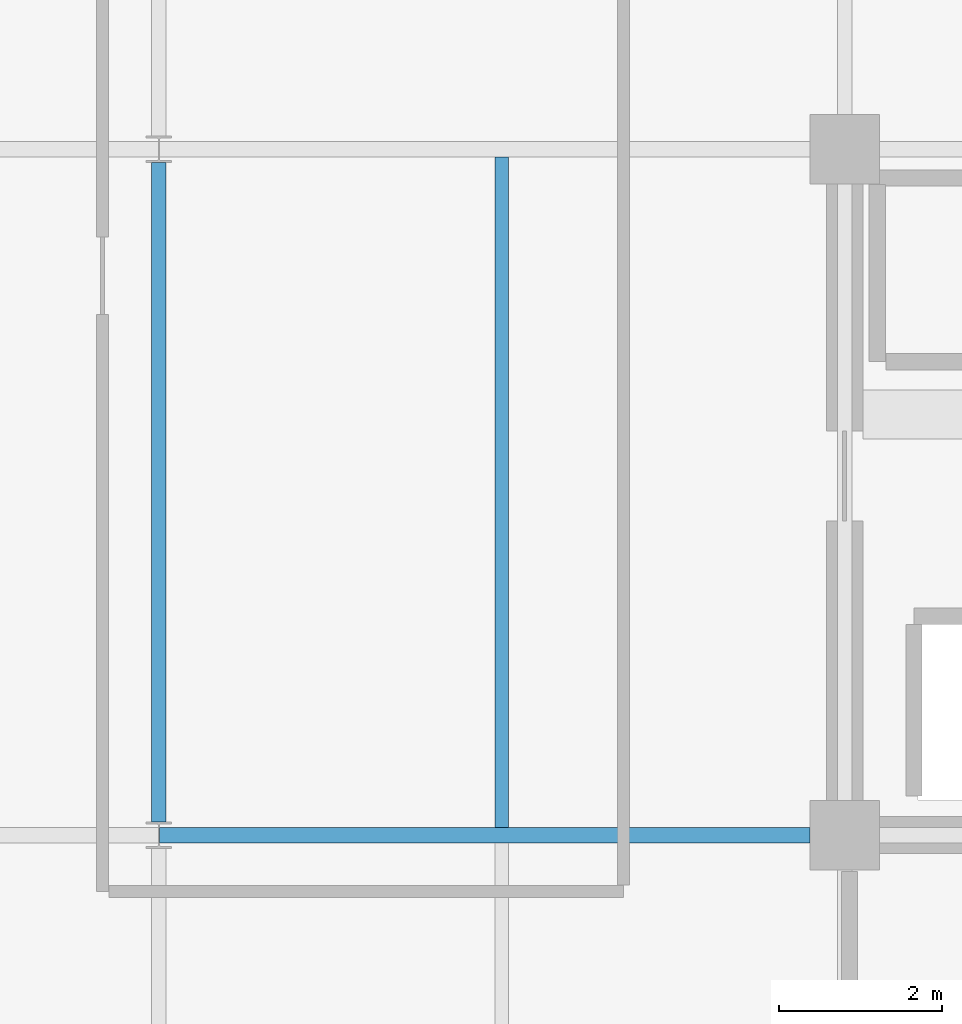
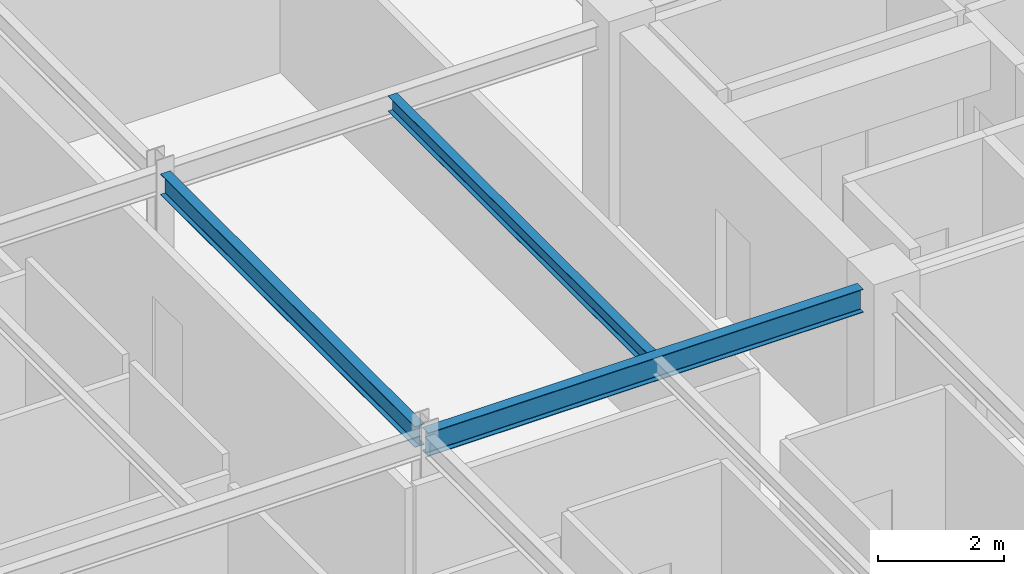
# One storey, part 6 of 26: 3 beams.
"""IFC4 building model written with IfcOpenShell, lengths in metres."""

from ifc_helpers import new_model, si_unit, direction, frame, origin, origin_2d, place, context, subcontext, project, spatial, i_section, extrude, material, material_profile, profile_set, type_object, element, save


model = new_model("IFC4")

# Units and contexts
model_context = context("Model", 3, precision=1e-05, world=origin(), true_north=direction((0.0, 1.0)))
body_context = subcontext(model_context, "Body", "Model", "MODEL_VIEW")
ifc_project = project(units=[si_unit("LENGTHUNIT", "METRE"), si_unit("AREAUNIT", "SQUARE_METRE"), si_unit("VOLUMEUNIT", "CUBIC_METRE"), si_unit("PLANEANGLEUNIT", "RADIAN"), si_unit("MASSUNIT", "GRAM", prefix="KILO")], contexts=[model_context])

# Site, building, storey
site_placement = place(None, origin())
site = spatial("IfcSite", under=ifc_project, at=site_placement, CompositionType="ELEMENT")
building_placement = place(site_placement, origin())
building = spatial("IfcBuilding", under=site, at=building_placement, Name="Nerrivon Quay Data Exchange", CompositionType="ELEMENT")
storey_placement = place(building_placement, frame((0.0, 0.0, 274.199951171875)))
storey = spatial("IfcBuildingStorey", under=building, at=storey_placement, Name="L65", CompositionType="ELEMENT", Elevation=274.199951171875)

# Beams
ifc_material = material(Name="Steel Grade 350", Category="steel")
ifc_material_profile_1 = material_profile(ifc_material, i_section(OverallWidth=0.18994140625, OverallDepth=0.4541015625, WebThickness=0.008544921875, FlangeThickness=0.0126953125, FilletRadius=0.011474609375, at=origin_2d()), Name="460UB67.1")
ifc_profile_set_1 = profile_set([ifc_material_profile_1], Name="Steel Grade 350")
beam_type_1 = type_object("IfcBeamType", Name="BM-G6-460UB67", PredefinedType="BEAM", material=ifc_profile_set_1)
beam_1_placement = place(storey_placement, frame((8.40771484375, 8.39990234375, 3.498046875), z_axis=(1.0, 0.0, 0.0), x_axis=(0.0, 1.0, 0.0)))
element("IfcBeam", 1, at=beam_1_placement, inside=storey, type_object=beam_type_1, Name="L65 EW Girder Y=8.4 (8.4..16.8)", PredefinedType="BEAM", context=body_context, shape_type="SweptSolid", body=[
    extrude(i_section(OverallWidth=0.18994140625, OverallDepth=0.4541015625, WebThickness=0.008544921875, FlangeThickness=0.0126953125, FilletRadius=0.011474609375, at=origin_2d()), origin(), (0.0, 0.0, 1.0), 7.96728515625),
])
ifc_material_profile_2 = material_profile(ifc_material, i_section(OverallWidth=0.177978515625, OverallDepth=0.406005859375, WebThickness=0.0078125, FlangeThickness=0.0126953125, FilletRadius=0.011474609375, at=origin_2d()), Name="410UB59.7")
ifc_profile_set_2 = profile_set([ifc_material_profile_2], Name="Steel Grade 350")
beam_type_2 = type_object("IfcBeamType", Name="BM-J1-410UB60", PredefinedType="JOIST", material=ifc_profile_set_2)
beam_2_placement = place(storey_placement, frame((8.39990234375, 8.5634765625, 3.52197265625), z_axis=(0.0, 1.0, 0.0), x_axis=(-1.0, 0.0, 0.0)))
element("IfcBeam", 2, at=beam_2_placement, inside=storey, type_object=beam_type_2, Name="L65 NS Girder X=8.4 (8.4..16.8)", PredefinedType="JOIST", context=body_context, shape_type="SweptSolid", body=[
    extrude(i_section(OverallWidth=0.177978515625, OverallDepth=0.406005859375, WebThickness=0.0078125, FlangeThickness=0.0126953125, FilletRadius=0.011474609375, at=origin_2d()), origin(), (0.0, 0.0, 1.0), 8.072998046875),
])
ifc_material_profile_3 = material_profile(ifc_material, i_section(OverallWidth=0.1650390625, OverallDepth=0.303955078125, WebThickness=0.006103515625, FlangeThickness=0.01025390625, FilletRadius=0.011474609375, at=origin_2d()), Name="310UB40.4")
ifc_profile_set_3 = profile_set([ifc_material_profile_3], Name="Steel Grade 350")
beam_type_3 = type_object("IfcBeamType", Name="BM-J6-310UB40", PredefinedType="JOIST", material=ifc_profile_set_3)
beam_3_placement = place(storey_placement, frame((12.60009765625, 8.4951171875, 3.572998046875), z_axis=(0.0, 1.0, 0.0), x_axis=(-1.0, 0.0, 0.0)))
element("IfcBeam", 3, at=beam_3_placement, inside=storey, type_object=beam_type_3, Name="L65 Secondary Joist X=12.6 (8.4..16.8)", PredefinedType="JOIST", context=body_context, shape_type="SweptSolid", body=[
    extrude(i_section(OverallWidth=0.1650390625, OverallDepth=0.303955078125, WebThickness=0.006103515625, FlangeThickness=0.01025390625, FilletRadius=0.011474609375, at=origin_2d()), origin(), (0.0, 0.0, 1.0), 8.2099609375),
])

save(model, "model.ifc")
